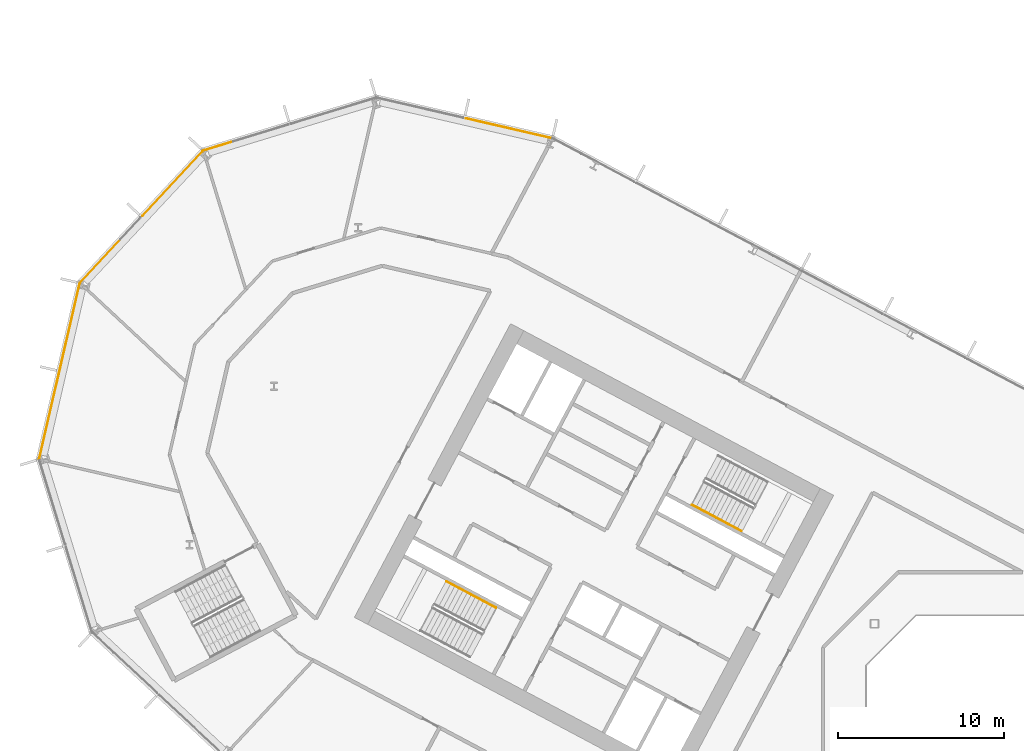
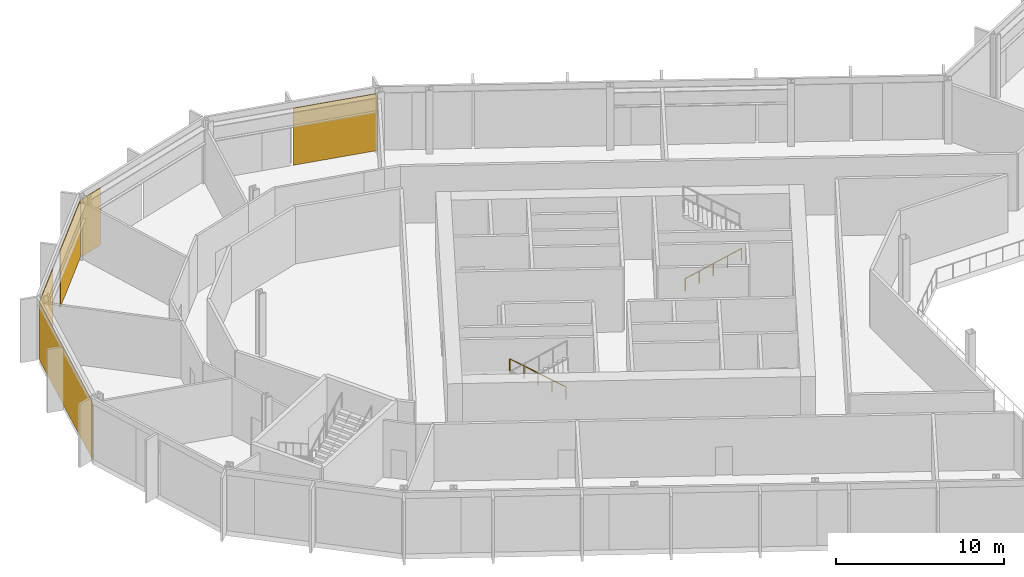
# One storey, part 24 of 31: 5 coverings, 2 railings, 4 elements without a shape of their own.
"""IFC4 building model written with IfcOpenShell, lengths in metres."""

import ifcopenshell
import ifcopenshell.guid

model = None  # the IFC model being written
_history = None  # IfcOwnerHistory: only IFC2X3 demands one
_inside = {}  # id of a spatial element -> (the spatial element, [elements in it])
_under = {}  # id of a project, library or spatial element -> (it, [spatial elements below it])
_declared = {}  # id of a project -> (the project, [libraries it declares])
_typed = {}  # id of a type object -> (the type object, [elements of that type])
_made_of = {}  # id of a material, layer set ... -> (it, [elements and type objects made of it])


def new_model(schema):
    """Start an empty IFC model of exactly this schema.

    Asked for "IFC4X3", IfcOpenShell would pick the latest addendum, in which some entities
    have other attributes; the version numbers below select the first issue.
    IFC2X3 requires an IfcOwnerHistory on every rooted entity: one is made here for all.
    """
    global model, _history
    if schema == "IFC4X3":
        model = ifcopenshell.file(schema_version=(4, 3, 0, 0))
    else:
        model = ifcopenshell.file(schema=schema)
    _inside.clear()
    _under.clear()
    _declared.clear()
    _typed.clear()
    _made_of.clear()
    _history = None
    if model.schema == "IFC2X3":
        org = make("IfcOrganization", Name="unknown")
        user = make(
            "IfcPersonAndOrganization",
            ThePerson=make("IfcPerson", FamilyName="unknown"),
            TheOrganization=org,
        )
        app = make(
            "IfcApplication",
            ApplicationDeveloper=org,
            Version="unknown",
            ApplicationFullName="unknown",
            ApplicationIdentifier="unknown",
        )
        _history = make(
            "IfcOwnerHistory",
            OwningUser=user,
            OwningApplication=app,
            ChangeAction="ADDED",
            CreationDate=0,
        )
    return model


def make(cls, **values):
    """One entity of the class cls with the attributes given. An attribute that is None is left unset."""
    return model.create_entity(
        cls, **{name: value for name, value in values.items() if value is not None}
    )


def rooted(cls, **values):
    """An entity with a GlobalId (a new one), such as an element, a storey or a relation."""
    return make(cls, GlobalId=ifcopenshell.guid.new(), OwnerHistory=_history, **values)


def si_unit(unit_type, name, prefix=None):
    """IfcSIUnit, for example si_unit("LENGTHUNIT", "METRE", prefix="MILLI")."""
    return make("IfcSIUnit", UnitType=unit_type, Prefix=prefix, Name=name)


def assignment(units):
    """IfcUnitAssignment: the units of a project."""
    return None if units is None else make("IfcUnitAssignment", Units=units)


def point(xyz):
    """IfcCartesianPoint."""
    return None if xyz is None else make("IfcCartesianPoint", Coordinates=xyz)


def direction(xyz):
    """IfcDirection."""
    return None if xyz is None else make("IfcDirection", DirectionRatios=xyz)


def frame(location, z_axis=None, x_axis=None):
    """IfcAxis2Placement3D, a coordinate frame: its origin and axes. An axis left out is left unset."""
    return make(
        "IfcAxis2Placement3D",
        Location=point(location),
        Axis=direction(z_axis),
        RefDirection=direction(x_axis),
    )


def frame_2d(location, x_axis=None):
    """IfcAxis2Placement2D, a coordinate frame in the plane: its origin and x axis."""
    return make(
        "IfcAxis2Placement2D", Location=point(location), RefDirection=direction(x_axis)
    )


def origin():
    """The frame at (0, 0, 0) with its axes left unset."""
    return frame((0.0, 0.0, 0.0))


def origin_2d():
    """The frame at (0, 0) in the plane with its x axis left unset."""
    return frame_2d((0.0, 0.0))


def place(relative_to, where):
    """IfcLocalPlacement: puts the frame where relative to a parent placement (None: the world)."""
    return make(
        "IfcLocalPlacement", PlacementRelTo=relative_to, RelativePlacement=where
    )


def context(
    kind, dimensions, precision=None, world=None, true_north=None, identifier=None
):
    """IfcGeometricRepresentationContext, for example the 3D "Model" context."""
    return make(
        "IfcGeometricRepresentationContext",
        ContextIdentifier=identifier,
        ContextType=kind,
        CoordinateSpaceDimension=dimensions,
        Precision=precision,
        WorldCoordinateSystem=world,
        TrueNorth=true_north,
    )


def subcontext(parent, identifier, kind, view, scale=None):
    """IfcGeometricRepresentationSubContext, for example "Body" below "Model"."""
    return make(
        "IfcGeometricRepresentationSubContext",
        ContextIdentifier=identifier,
        ContextType=kind,
        ParentContext=parent,
        TargetScale=scale,
        TargetView=view,
    )


def project(units=None, contexts=None):
    """IfcProject with its units and contexts."""
    return rooted(
        "IfcProject",
        Name="project",
        RepresentationContexts=contexts,
        UnitsInContext=assignment(units),
    )


def spatial(cls, under=None, at=None, **own):
    """A site, building, storey or space (cls), placed at a placement, below another one or the project."""
    s = rooted(cls, ObjectPlacement=at, **own)
    if under is not None:
        _under.setdefault(under.id(), (under, []))[1].append(s)
    return s


def polyline(points):
    """IfcPolyline through the points."""
    return make("IfcPolyline", Points=[point(p) for p in points])


def profile(cls, at=None, kind="AREA", **sizes):
    """A parametric profile (cls). Its sizes go by their IFC names, for example OverallWidth=200.0."""
    return make(cls, ProfileType=kind, Position=at, **sizes)


def rectangle(**sizes):
    """IfcRectangleProfileDef."""
    return profile("IfcRectangleProfileDef", **sizes)


def outline(outer, holes=None, kind="AREA"):
    """IfcArbitraryClosedProfileDef: a profile drawn as a closed curve; with holes, ...WithVoids."""
    if holes is None:
        return make("IfcArbitraryClosedProfileDef", ProfileType=kind, OuterCurve=outer)
    return make(
        "IfcArbitraryProfileDefWithVoids",
        ProfileType=kind,
        OuterCurve=outer,
        InnerCurves=holes,
    )


def extrude(swept, where, along, depth):
    """IfcExtrudedAreaSolid: the profile swept, set in the frame where, extruded along a direction by depth."""
    return make(
        "IfcExtrudedAreaSolid",
        SweptArea=swept,
        Position=where,
        ExtrudedDirection=direction(along),
        Depth=depth,
    )


def shape(context_of_items, identifier, shape_type, items):
    """IfcShapeRepresentation: the items that make up one representation, for example the "Body"."""
    return make(
        "IfcShapeRepresentation",
        ContextOfItems=context_of_items,
        RepresentationIdentifier=identifier,
        RepresentationType=shape_type,
        Items=items,
    )


def material(Name=None, Category=None):
    """IfcMaterial."""
    return make("IfcMaterial", Name=Name, Category=Category)


def layer(
    of_material, thickness, ventilated=None, Name=None, Category=None, Priority=None
):
    """IfcMaterialLayer: one layer of a wall or slab, of a material (None: an air gap)."""
    return make(
        "IfcMaterialLayer",
        Material=of_material,
        LayerThickness=thickness,
        IsVentilated=ventilated,
        Name=Name,
        Category=Category,
        Priority=Priority,
    )


def layer_set(layers, Name=None):
    """IfcMaterialLayerSet."""
    return make("IfcMaterialLayerSet", MaterialLayers=layers, LayerSetName=Name)


def made_of(thing, what):
    """Note that an element or type object is made of a material, layer set ...; save() writes the relation."""
    if what is not None:
        _made_of.setdefault(what.id(), (what, []))[1].append(thing)
    return thing


def type_object(cls, material=None, **own):
    """A type object (cls), such as IfcWallType, which elements share."""
    return made_of(rooted(cls, **own), material)


def element(
    cls,
    number,
    at=None,
    inside=None,
    cuts=None,
    type_object=None,
    material=None,
    context=None,
    identifier="Body",
    shape_type=None,
    held_by="IfcProductDefinitionShape",
    body=None,
    shapes=None,
    **own,
):
    """One element of the class cls, such as IfcWall. Its Tag is "e" and its number.

    at: its placement. inside: the storey or other place that contains it. cuts: it is an
    opening in that element (IfcRelVoidsElement). A single representation is given by context,
    identifier, shape_type and body (its items); several are given by shapes. held_by: the class
    of the entity that holds the representations. save() writes the other relations.
    """
    e = rooted(cls, Tag="e%d" % number, ObjectPlacement=at, **own)
    if body is not None:
        shapes = [shape(context, identifier, shape_type, body)]
    if shapes is not None:
        e.Representation = make(held_by, Representations=shapes)
    if inside is not None:
        _inside.setdefault(inside.id(), (inside, []))[1].append(e)
    if cuts is not None:
        rooted(
            "IfcRelVoidsElement", RelatingBuildingElement=cuts, RelatedOpeningElement=e
        )
    if type_object is not None:
        _typed.setdefault(type_object.id(), (type_object, []))[1].append(e)
    return made_of(e, material)


def aggregate(whole, parts):
    """IfcRelAggregates: a whole, such as a stair, and the parts it consists of."""
    return rooted("IfcRelAggregates", RelatingObject=whole, RelatedObjects=parts)


def save(model, path):
    """Write the relations noted so far, then the file.

    IfcRelAggregates (storeys below a building ...), IfcRelContainedInSpatialStructure (elements
    in a storey), IfcRelDefinesByType, IfcRelAssociatesMaterial and IfcRelDeclares: one each for
    every whole, place, type object, material and project.
    """
    for whole, parts in _under.values():
        aggregate(whole, parts)
    for where, things in _inside.values():
        rooted(
            "IfcRelContainedInSpatialStructure",
            RelatedElements=things,
            RelatingStructure=where,
        )
    for kind, things in _typed.values():
        rooted("IfcRelDefinesByType", RelatedObjects=things, RelatingType=kind)
    for what, things in _made_of.values():
        rooted("IfcRelAssociatesMaterial", RelatedObjects=things, RelatingMaterial=what)
    for by, libraries in _declared.values():
        rooted("IfcRelDeclares", RelatingContext=by, RelatedDefinitions=libraries)
    model.write(path)


model = new_model("IFC4")

# Units and contexts
model_context = context("Model", 3, precision=1e-05, world=origin(), true_north=direction((0.0, 1.0)))
body_context = subcontext(model_context, "Body", "Model", "MODEL_VIEW")
ifc_project = project(units=[si_unit("LENGTHUNIT", "METRE"), si_unit("AREAUNIT", "SQUARE_METRE"), si_unit("VOLUMEUNIT", "CUBIC_METRE"), si_unit("PLANEANGLEUNIT", "RADIAN"), si_unit("MASSUNIT", "GRAM", prefix="KILO")], contexts=[model_context])

# Site, building, storey
site_placement = place(None, origin())
site = spatial("IfcSite", under=ifc_project, at=site_placement, CompositionType="ELEMENT")
building_placement = place(site_placement, origin())
building = spatial("IfcBuilding", under=site, at=building_placement, Name="Cormorant Relay Tower", CompositionType="ELEMENT")
storey_placement = place(building_placement, frame((0.0, 0.0, 107.60009765625)))
storey = spatial("IfcBuildingStorey", under=building, at=storey_placement, Name="L21", CompositionType="ELEMENT", Elevation=107.60009765625)

# Curtain wall, covering
ifc_material_1 = material(Name="Aluminium 6063-T6 anodised bronze", Category="aluminium")
ifc_layer_1 = layer(ifc_material_1, 0.199951171875)
ifc_layer_set_1 = layer_set([ifc_layer_1], Name="CW1 unitised bronze curtain wall with vertical fins")
curtain_wall_type = type_object("IfcCurtainWallType", Name="CW1 unitised bronze curtain wall with vertical fins", PredefinedType="NOTDEFINED", material=ifc_layer_set_1)
curtain_wall_1_placement = place(storey_placement, origin())
curtain_wall_1 = element("IfcCurtainWall", 1, at=curtain_wall_1_placement, inside=storey, type_object=curtain_wall_type, Name="CW1 curtain wall 8", PredefinedType="NOTDEFINED")
ifc_material_2 = material(Name="Pale bronze anodised aluminium insulated panel", Category="aluminium")
ifc_layer_2 = layer(ifc_material_2, 0.0400390625)
ifc_layer_set_2 = layer_set([ifc_layer_2], Name="CW1 pale bronze insulated panel 40")
covering_type = type_object("IfcCoveringType", Name="CW1 pale bronze insulated panel 40", PredefinedType="CLADDING", material=ifc_layer_set_2)
covering_1_placement = place(storey_placement, frame((-32.51708984375, 40.298828125, 0.0), z_axis=(0.0, 0.0, 1.0), x_axis=(-0.974370064785, 0.224951054344, 0.0)))
covering_1 = element("IfcCovering", 2, at=covering_1_placement, type_object=covering_type, Name="CW1 panel S00", PredefinedType="CLADDING", context=body_context, shape_type="SweptSolid", body=[
    extrude(rectangle(XDim=5.28515625, YDim=0.0400390625, at=origin_2d()), origin(), (0.0, 0.0, 1.0), 4.14990234375),
])
aggregate(curtain_wall_1, [covering_1])

curtain_wall_2_placement = place(storey_placement, origin())
curtain_wall_2 = element("IfcCurtainWall", 3, at=curtain_wall_2_placement, inside=storey, type_object=curtain_wall_type, Name="CW1 curtain wall 9", PredefinedType="NOTDEFINED")
covering_2_placement = place(storey_placement, frame((-50.025146484375, 39.211669921875, 0.0), z_axis=(0.0, 0.0, 1.0), x_axis=(-0.956304755963, -0.292371704723, 0.0)))
covering_2 = element("IfcCovering", 4, at=covering_2_placement, type_object=covering_type, Name="CW1 panel S02", PredefinedType="CLADDING", context=body_context, shape_type="SweptSolid", body=[
    extrude(rectangle(XDim=1.76025390625, YDim=0.0400390625, at=origin_2d()), origin(), (0.0, 0.0, 1.0), 4.14990234375),
])
aggregate(curtain_wall_2, [covering_2])

# Curtain wall, coverings
curtain_wall_3_placement = place(storey_placement, origin())
curtain_wall_3 = element("IfcCurtainWall", 5, at=curtain_wall_3_placement, inside=storey, type_object=curtain_wall_type, Name="CW1 curtain wall 10", PredefinedType="NOTDEFINED")
covering_3_placement = place(storey_placement, frame((-52.72900390625, 36.961181640625, 0.0), z_axis=(0.0, 0.0, 1.0), x_axis=(-0.681998360062, -0.731353701619, 0.0)))
covering_3 = element("IfcCovering", 6, at=covering_3_placement, type_object=covering_type, Name="CW1 panel S00", PredefinedType="CLADDING", context=body_context, shape_type="SweptSolid", body=[
    extrude(rectangle(XDim=5.28515625, YDim=0.0400390625, at=origin_2d()), origin(), (0.0, 0.0, 1.0), 4.14990234375),
])
covering_4_placement = place(storey_placement, frame((-57.0751953125, 32.300537109375, 0.0), z_axis=(0.0, 0.0, 1.0), x_axis=(-0.681998360062, -0.731353701619, 0.0)))
covering_4 = element("IfcCovering", 7, at=covering_4_placement, type_object=covering_type, Name="CW1 panel S02", PredefinedType="CLADDING", context=body_context, shape_type="SweptSolid", body=[
    extrude(rectangle(XDim=3.560302734375, YDim=0.0400390625, at=origin_2d()), origin(), (0.0, 0.0, 1.0), 4.14990234375),
])
aggregate(curtain_wall_3, [covering_3, covering_4])

# Curtain wall, covering
curtain_wall_4_placement = place(storey_placement, origin())
curtain_wall_4 = element("IfcCurtainWall", 8, at=curtain_wall_4_placement, inside=storey, type_object=curtain_wall_type, Name="CW1 curtain wall 11", PredefinedType="NOTDEFINED")
covering_5_placement = place(storey_placement, frame((-59.525146484375, 25.6572265625, 0.0), z_axis=(0.0, 0.0, 1.0), x_axis=(-0.224951054344, -0.974370064785, 0.0)))
covering_5 = element("IfcCovering", 9, at=covering_5_placement, type_object=covering_type, Name="CW1 panel S00", PredefinedType="CLADDING", context=body_context, shape_type="SweptSolid", body=[
    extrude(rectangle(XDim=10.79541015625, YDim=0.0400390625, at=origin_2d()), origin(), (0.0, 0.0, 1.0), 4.14990234375),
])
aggregate(curtain_wall_4, [covering_5])

# Railings
ifc_material_3 = material(Name="Steel ASTM A572 Grade 50 (Fy 345 MPa)", Category="steel")
railing_type = type_object("IfcRailingType", Name="Stair handrail 900", PredefinedType="HANDRAIL", material=ifc_material_3)
railing_1_placement = place(storey_placement, frame((-21.478271484375, 17.6494140625, 0.1767578125)))
element("IfcRailing", 10, at=railing_1_placement, inside=storey, type_object=railing_type, Name="L21 A1 stair handrail 1", PredefinedType="HANDRAIL", context=body_context, shape_type="SweptSolid", body=[
    extrude(outline(polyline([(0.022216796875, 0.00927734375), (0.00927734375, 0.022216796875), (-0.00927734375, 0.022216796875), (-0.022216796875, 0.00927734375), (-0.022216796875, -0.00927734375), (-0.00927734375, -0.022216796875), (0.00927734375, -0.022216796875), (0.022216796875, -0.00927734375), (0.022216796875, 0.00927734375)])), frame((0.0, 0.0, 0.8759765625), z_axis=(0.746422470992, -0.396920836698, 0.534141689248), x_axis=(0.469509342547, 0.882927503967, 0.0)), (0.0, 0.0, 1.0), 3.974609375),
    extrude(outline(polyline([(0.019287109375, 0.008056640625), (0.008056640625, 0.019287109375), (-0.008056640625, 0.019287109375), (-0.019287109375, 0.008056640625), (-0.019287109375, -0.008056640625), (-0.008056640625, -0.019287109375), (0.008056640625, -0.019287109375), (0.019287109375, -0.008056640625), (0.019287109375, 0.008056640625)])), origin(), (0.0, 0.0, 1.0), 0.851806640625),
    extrude(outline(polyline([(0.019287109375, 0.008056640625), (0.008056640625, 0.019287109375), (-0.008056640625, 0.019287109375), (-0.019287109375, 0.008056640625), (-0.019287109375, -0.008056640625), (-0.008056640625, -0.019287109375), (0.008056640625, -0.019287109375), (0.019287109375, -0.008056640625), (0.019287109375, 0.008056640625)])), frame((0.74169921875, -0.39453125, 0.53076171875)), (0.0, 0.0, 1.0), 0.851806640625),
    extrude(outline(polyline([(0.019287109375, 0.008056640625), (0.008056640625, 0.019287109375), (-0.008056640625, 0.019287109375), (-0.019287109375, 0.008056640625), (-0.019287109375, -0.008056640625), (-0.008056640625, -0.019287109375), (0.008056640625, -0.019287109375), (0.019287109375, -0.008056640625), (0.019287109375, 0.008056640625)])), frame((1.4833984375, -0.788818359375, 1.0615234375)), (0.0, 0.0, 1.0), 0.851806640625),
    extrude(outline(polyline([(0.019287109375, 0.008056640625), (0.008056640625, 0.019287109375), (-0.008056640625, 0.019287109375), (-0.019287109375, 0.008056640625), (-0.019287109375, -0.008056640625), (-0.008056640625, -0.019287109375), (0.008056640625, -0.019287109375), (0.019287109375, -0.008056640625), (0.019287109375, 0.008056640625)])), frame((2.22509765625, -1.18310546875, 1.59228515625)), (0.0, 0.0, 1.0), 0.851806640625),
    extrude(outline(polyline([(0.019287109375, 0.008056640625), (0.008056640625, 0.019287109375), (-0.008056640625, 0.019287109375), (-0.019287109375, 0.008056640625), (-0.019287109375, -0.008056640625), (-0.008056640625, -0.019287109375), (0.008056640625, -0.019287109375), (0.019287109375, -0.008056640625), (0.019287109375, 0.008056640625)])), frame((2.966796875, -1.57763671875, 2.123046875)), (0.0, 0.0, 1.0), 0.851806640625),
])
railing_2_placement = place(storey_placement, frame((-33.264404296875, 11.4580078125, 0.1767578125)))
element("IfcRailing", 11, at=railing_2_placement, inside=storey, type_object=railing_type, Name="L21 A2 stair handrail 1", PredefinedType="HANDRAIL", context=body_context, shape_type="SweptSolid", body=[
    extrude(outline(polyline([(0.022216796875, 0.00927734375), (0.00927734375, 0.022216796875), (-0.00927734375, 0.022216796875), (-0.022216796875, 0.00927734375), (-0.022216796875, -0.00927734375), (-0.00927734375, -0.022216796875), (0.00927734375, -0.022216796875), (0.022216796875, -0.00927734375), (0.022216796875, 0.00927734375)])), frame((0.0, 0.0, 0.8759765625), z_axis=(-0.746440668329, 0.396869088057, 0.534154711306), x_axis=(-0.46945269911, -0.882957622595, 0.0)), (0.0, 0.0, 1.0), 3.974609375),
    extrude(outline(polyline([(0.019287109375, 0.008056640625), (0.008056640625, 0.019287109375), (-0.008056640625, 0.019287109375), (-0.019287109375, 0.008056640625), (-0.019287109375, -0.008056640625), (-0.008056640625, -0.019287109375), (0.008056640625, -0.019287109375), (0.019287109375, -0.008056640625), (0.019287109375, 0.008056640625)])), origin(), (0.0, 0.0, 1.0), 0.851806640625),
    extrude(outline(polyline([(0.019287109375, 0.008056640625), (0.008056640625, 0.019287109375), (-0.008056640625, 0.019287109375), (-0.019287109375, 0.008056640625), (-0.019287109375, -0.008056640625), (-0.008056640625, -0.019287109375), (0.008056640625, -0.019287109375), (0.019287109375, -0.008056640625), (0.019287109375, 0.008056640625)])), frame((-0.74169921875, 0.394287109375, 0.53076171875)), (0.0, 0.0, 1.0), 0.851806640625),
    extrude(outline(polyline([(0.019287109375, 0.008056640625), (0.008056640625, 0.019287109375), (-0.008056640625, 0.019287109375), (-0.019287109375, 0.008056640625), (-0.019287109375, -0.008056640625), (-0.008056640625, -0.019287109375), (0.008056640625, -0.019287109375), (0.019287109375, -0.008056640625), (0.019287109375, 0.008056640625)])), frame((-1.4833984375, 0.78857421875, 1.0615234375)), (0.0, 0.0, 1.0), 0.851806640625),
    extrude(outline(polyline([(0.019287109375, 0.008056640625), (0.008056640625, 0.019287109375), (-0.008056640625, 0.019287109375), (-0.019287109375, 0.008056640625), (-0.019287109375, -0.008056640625), (-0.008056640625, -0.019287109375), (0.008056640625, -0.019287109375), (0.019287109375, -0.008056640625), (0.019287109375, 0.008056640625)])), frame((-2.22509765625, 1.18310546875, 1.59228515625)), (0.0, 0.0, 1.0), 0.851806640625),
    extrude(outline(polyline([(0.019287109375, 0.008056640625), (0.008056640625, 0.019287109375), (-0.008056640625, 0.019287109375), (-0.019287109375, 0.008056640625), (-0.019287109375, -0.008056640625), (-0.008056640625, -0.019287109375), (0.008056640625, -0.019287109375), (0.019287109375, -0.008056640625), (0.019287109375, 0.008056640625)])), frame((-2.966796875, 1.577392578125, 2.123046875)), (0.0, 0.0, 1.0), 0.851806640625),
])

save(model, "model.ifc")
